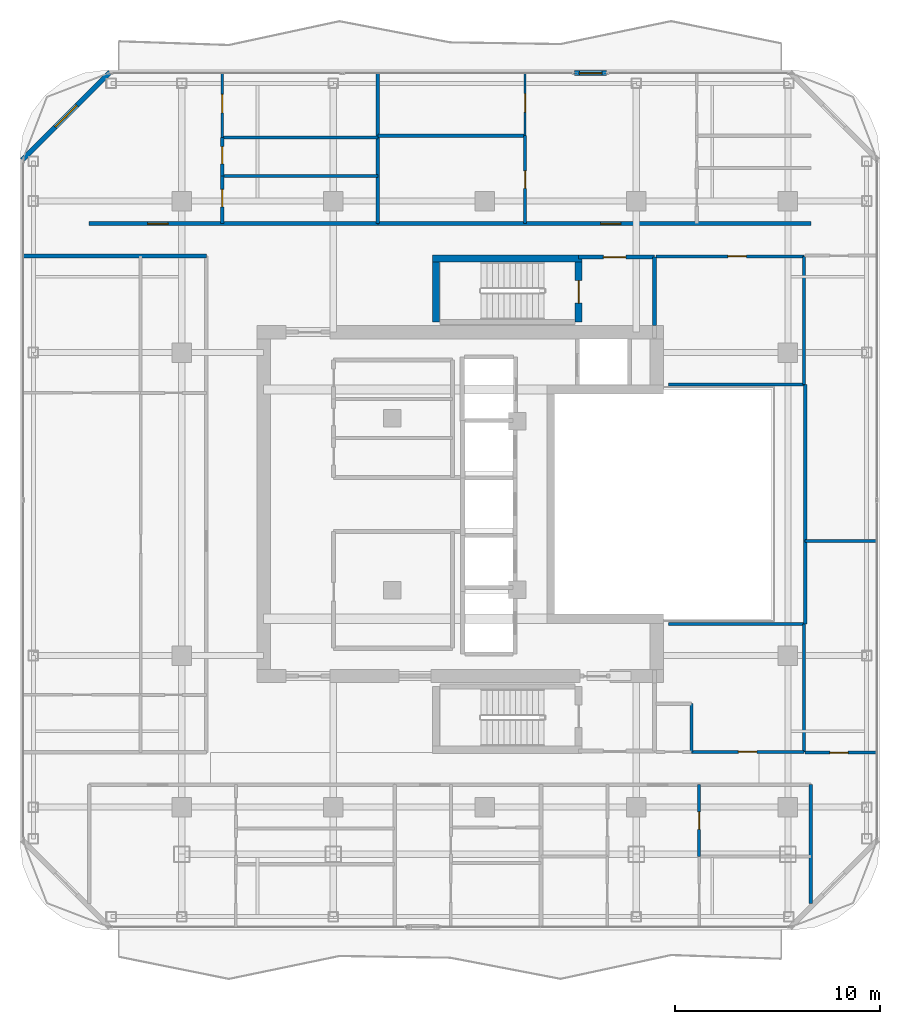
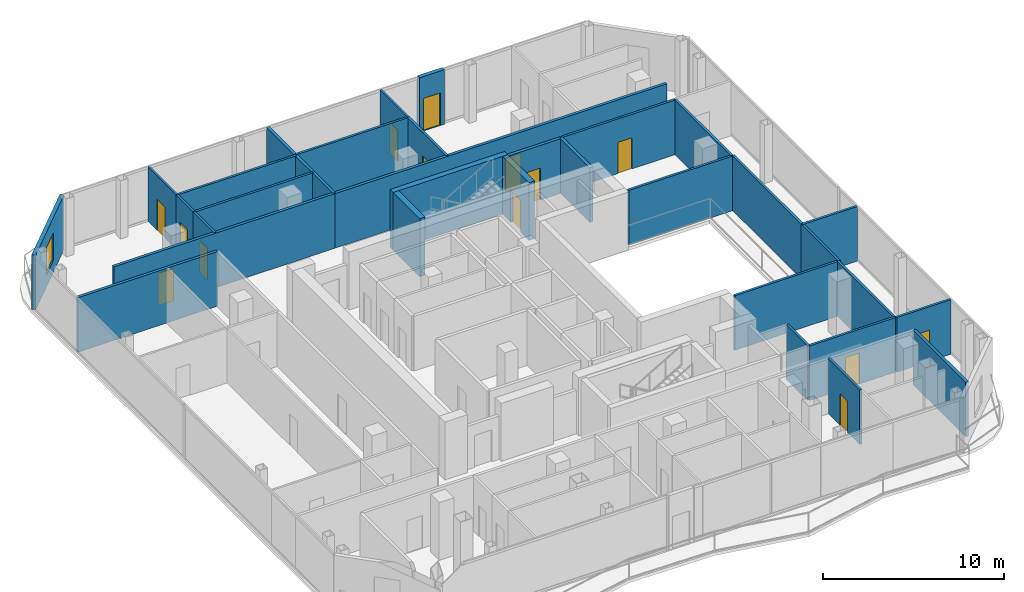
# One storey, part 18 of 22: 32 walls, 14 doors, 1 window, 15 openings.
"""IFC4 building model written with IfcOpenShell, lengths in metres."""

from ifc_helpers import new_model, si_unit, direction, frame, frame_2d, origin, place, context, subcontext, project, spatial, rectangle, extrude, material, layer, layer_set, type_object, element, fill, save


model = new_model("IFC4")

# Units and contexts
model_context = context("Model", 3, precision=1e-05, world=origin(), true_north=direction((0.0, 1.0)))
body_context = subcontext(model_context, "Body", "Model", "MODEL_VIEW")
ifc_project = project(units=[si_unit("LENGTHUNIT", "METRE"), si_unit("AREAUNIT", "SQUARE_METRE"), si_unit("VOLUMEUNIT", "CUBIC_METRE"), si_unit("PLANEANGLEUNIT", "RADIAN"), si_unit("MASSUNIT", "GRAM", prefix="KILO")], contexts=[model_context])

# Site, building, storey
site_placement = place(None, origin())
site = spatial("IfcSite", under=ifc_project, at=site_placement, CompositionType="ELEMENT")
building_placement = place(site_placement, origin())
building = spatial("IfcBuilding", under=site, at=building_placement, Name="Khorvyn Point Tower", CompositionType="ELEMENT")
storey_placement = place(building_placement, frame((0.0, 0.0, 305.39990234375)))
storey = spatial("IfcBuildingStorey", under=building, at=storey_placement, Name="L75", CompositionType="ELEMENT", Elevation=305.39990234375)

# Wall, opening, door
ifc_material_1 = material(Name="Double acoustic gypsum on twin steel stud", Category="steel")
ifc_layer_1 = layer(ifc_material_1, 0.179931640625)
ifc_layer_set_1 = layer_set([ifc_layer_1], Name="Acoustic Double-Stud Apartment Demising Wall 180")
wall_type_1 = type_object("IfcWallType", Name="Acoustic Double-Stud Apartment Demising Wall 180", PredefinedType="PARTITIONING", material=ifc_layer_set_1)
wall_1_placement = place(storey_placement, frame((-19.320068359375, 13.699951171875, 0.0), z_axis=(0.0, 0.0, 1.0), x_axis=(1.0, 0.0, 0.0)))
wall_1 = element("IfcWall", 1, at=wall_1_placement, inside=storey, type_object=wall_type_1, Name="Wall", PredefinedType="PARTITIONING", context=body_context, shape_type="SweptSolid", body=[
    extrude(rectangle(XDim=14.095947265625, YDim=0.179931640625, at=frame_2d((7.0478515625, 0.0))), origin(), (0.0, 0.0, 1.0), 3.68017578125),
])
opening_1_placement = place(wall_1_placement, frame((2.859130859375, 0.0, 0.0)))
opening_1 = element("IfcOpeningElement", 2, at=opening_1_placement, cuts=wall_1, Name="Opening ID-AP60", PredefinedType="OPENING", context=body_context, shape_type="SweptSolid", body=[
    extrude(rectangle(XDim=1.0, YDim=2.199951171875, at=frame_2d((0.5, 1.10009765625))), frame((0.0, 0.099853515625, 0.0), z_axis=(0.0, -1.0, 0.0), x_axis=(1.0, 0.0, 0.0)), (0.0, 0.0, 1.0), 0.199951171875),
])
ifc_material_2 = material(Name="Engineered hardwood fire-rated leaf", Category="wood")
door_type_1 = type_object("IfcDoorType", Name="Acoustic Solid-Core Timber Apartment Entrance Door 1000x2200", OperationType="NOTDEFINED", PredefinedType="DOOR", material=ifc_material_2)
door_1_placement = place(opening_1_placement, origin())
door_1 = element("IfcDoor", 3, at=door_1_placement, inside=storey, type_object=door_type_1, Name="Door", OperationType="SINGLE_SWING_RIGHT", OverallHeight=2.199951171875, OverallWidth=1.0, PredefinedType="DOOR", context=body_context, shape_type="SweptSolid", body=[
    extrude(rectangle(XDim=1.0, YDim=2.199951171875, at=frame_2d((0.5, 1.10009765625))), frame((0.0, 0.02490234375, 0.0), z_axis=(0.0, -1.0, 0.0), x_axis=(1.0, 0.0, 0.0)), (0.0, 0.0, 1.0), 0.050048828125),
])
fill(opening_1, door_1)

wall_2_placement = place(storey_placement, frame((-5.22412109375, 13.699951171875, 0.0), z_axis=(0.0, 0.0, 1.0), x_axis=(1.0, 0.0, 0.0)))
wall_2 = element("IfcWall", 4, at=wall_2_placement, inside=storey, type_object=wall_type_1, Name="Wall", PredefinedType="PARTITIONING", context=body_context, shape_type="SweptSolid", body=[
    extrude(rectangle(XDim=21.14404296875, YDim=0.179931640625, at=frame_2d((10.572021484375, 0.0))), origin(), (0.0, 0.0, 1.0), 3.68017578125),
])
opening_2_placement = place(wall_2_placement, frame((10.875732421875, 0.0, 0.0)))
opening_2 = element("IfcOpeningElement", 5, at=opening_2_placement, cuts=wall_2, Name="Opening ID-AP60", PredefinedType="OPENING", context=body_context, shape_type="SweptSolid", body=[
    extrude(rectangle(XDim=1.0, YDim=2.199951171875, at=frame_2d((0.5, 1.10009765625))), frame((0.0, 0.099853515625, 0.0), z_axis=(0.0, -1.0, 0.0), x_axis=(1.0, 0.0, 0.0)), (0.0, 0.0, 1.0), 0.199951171875),
])
door_2_placement = place(opening_2_placement, origin())
door_2 = element("IfcDoor", 6, at=door_2_placement, inside=storey, type_object=door_type_1, Name="Door", OperationType="SINGLE_SWING_RIGHT", OverallHeight=2.199951171875, OverallWidth=1.0, PredefinedType="DOOR", context=body_context, shape_type="SweptSolid", body=[
    extrude(rectangle(XDim=1.0, YDim=2.199951171875, at=frame_2d((0.5, 1.10009765625))), frame((0.0, 0.02490234375, 0.0), z_axis=(0.0, -1.0, 0.0), x_axis=(1.0, 0.0, 0.0)), (0.0, 0.0, 1.0), 0.050048828125),
])
fill(opening_2, door_2)

# Walls
wall_3_placement = place(storey_placement, frame((-5.22412109375, 13.699951171875, 0.0), z_axis=(0.0, 0.0, 1.0), x_axis=(0.0, 1.0, 0.0)))
element("IfcWall", 7, at=wall_3_placement, inside=storey, type_object=wall_type_1, Name="Wall", PredefinedType="PARTITIONING", context=body_context, shape_type="SweptSolid", body=[
    extrude(rectangle(XDim=7.330078125, YDim=0.179931640625, at=frame_2d((3.6650390625, 0.0))), origin(), (0.0, 0.0, 1.0), 3.68017578125),
])
wall_4_placement = place(storey_placement, frame((15.919921875, -19.510009765625, 0.0), z_axis=(0.0, 0.0, 1.0), x_axis=(0.0, 1.0, 0.0)))
element("IfcWall", 8, at=wall_4_placement, inside=storey, type_object=wall_type_1, Name="Wall", PredefinedType="PARTITIONING", context=body_context, shape_type="SweptSolid", body=[
    extrude(rectangle(XDim=5.81005859375, YDim=0.179931640625, at=frame_2d((2.905029296875, 0.0))), origin(), (0.0, 0.0, 1.0), 3.68017578125),
])
wall_5_placement = place(storey_placement, frame((-22.530029296875, 12.1201171875, 0.0), z_axis=(0.0, 0.0, 1.0), x_axis=(1.0, 0.0, 0.0)))
element("IfcWall", 9, at=wall_5_placement, inside=storey, type_object=wall_type_1, Name="Wall", PredefinedType="PARTITIONING", context=body_context, shape_type="SweptSolid", body=[
    extrude(rectangle(XDim=8.929931640625, YDim=0.179931640625, at=frame_2d((4.46484375, 0.0))), origin(), (0.0, 0.0, 1.0), 3.68017578125),
])

# Wall, opening, door
ifc_material_3 = material(Name="Pale anodised aluminium rainscreen on steel stud", Category="steel")
ifc_layer_2 = layer(ifc_material_3, 0.239990234375)
ifc_layer_set_2 = layer_set([ifc_layer_2], Name="Anodised Aluminium Insulated Corner Spandrel Wall 240")
wall_type_2 = type_object("IfcWallType", Name="Anodised Aluminium Insulated Corner Spandrel Wall 240", PredefinedType="SOLIDWALL", material=ifc_layer_set_2)
wall_6_placement = place(storey_placement, frame((4.3740234375, 21.050048828125, 0.0), z_axis=(0.0, 0.0, 1.0), x_axis=(1.0, 0.0, 0.0)))
wall_6 = element("IfcWall", 10, at=wall_6_placement, inside=storey, type_object=wall_type_2, Name="L75 North Outdoor Threshold Wall", PredefinedType="SOLIDWALL", context=body_context, shape_type="SweptSolid", body=[
    extrude(rectangle(XDim=1.580078125, YDim=0.239990234375, at=frame_2d((0.7900390625, 0.0))), origin(), (0.0, 0.0, 1.0), 3.68017578125),
])
opening_3_placement = place(wall_6_placement, frame((0.239990234375, 0.0, 0.0)))
opening_3 = element("IfcOpeningElement", 11, at=opening_3_placement, cuts=wall_6, Name="Opening BD-1122", PredefinedType="OPENING", context=body_context, shape_type="SweptSolid", body=[
    extrude(rectangle(XDim=1.10009765625, YDim=2.199951171875, at=frame_2d((0.550048828125, 1.10009765625))), frame((0.0, 0.1298828125, 0.0), z_axis=(0.0, -1.0, 0.0), x_axis=(1.0, 0.0, 0.0)), (0.0, 0.0, 1.0), 0.260009765625),
])
ifc_material_4 = material(Name="Anodised aluminium 6063-T6 and laminated Low-E glass", Category="aluminium")
door_type_2 = type_object("IfcDoorType", Name="Glazed Balcony and Terrace Threshold Door 1100x2200", OperationType="NOTDEFINED", PredefinedType="DOOR", material=ifc_material_4)
door_3_placement = place(opening_3_placement, origin())
door_3 = element("IfcDoor", 12, at=door_3_placement, inside=storey, type_object=door_type_2, Name="L75 North Glazed Balcony Outdoor Door", OperationType="SINGLE_SWING_RIGHT", OverallHeight=2.199951171875, OverallWidth=1.10009765625, PredefinedType="DOOR", context=body_context, shape_type="SweptSolid", body=[
    extrude(rectangle(XDim=1.10009765625, YDim=2.199951171875, at=frame_2d((0.550048828125, 1.10009765625))), frame((0.0, 0.02490234375, 0.0), z_axis=(0.0, -1.0, 0.0), x_axis=(1.0, 0.0, 0.0)), (0.0, 0.0, 1.0), 0.050048828125),
])
fill(opening_3, door_3)

# Wall, opening, window
wall_7_placement = place(storey_placement, frame((-22.59228515625, 16.8076171875, 0.0), z_axis=(0.0, 0.0, 1.0), x_axis=(0.707106781187, 0.707106781187, 0.0)))
wall_7 = element("IfcWall", 13, at=wall_7_placement, inside=storey, type_object=wall_type_2, Name="L75 Rounded Corner Wall NW", PredefinedType="SOLIDWALL", context=body_context, shape_type="SweptSolid", body=[
    extrude(rectangle(XDim=6.059326171875, YDim=0.239990234375, at=frame_2d((3.02978515625, 0.0))), origin(), (0.0, 0.0, 1.0), 3.68017578125),
])
opening_4_placement = place(wall_7_placement, frame((2.27978515625, 0.0, 0.800048828125)))
opening_4 = element("IfcOpeningElement", 14, at=opening_4_placement, cuts=wall_7, Name="Opening WN-1518", PredefinedType="OPENING", context=body_context, shape_type="SweptSolid", body=[
    extrude(rectangle(XDim=1.5, YDim=1.85009765625, at=frame_2d((0.75, 0.925048828125))), frame((0.0, 0.1298828125, 0.0), z_axis=(0.0, -1.0, 0.0), x_axis=(1.0, 0.0, 0.0)), (0.0, 0.0, 1.0), 0.260009765625),
])
window_type = type_object("IfcWindowType", Name="Anodised Aluminium Rounded-Corner Panoramic Window 1500x1850", PartitioningType="SINGLE_PANEL", PredefinedType="WINDOW", material=ifc_material_4)
window_placement = place(opening_4_placement, origin())
window = element("IfcWindow", 15, at=window_placement, inside=storey, type_object=window_type, Name="L75 Corner Panoramic Window NW", OverallHeight=1.85009765625, OverallWidth=1.5, PartitioningType="SINGLE_PANEL", PredefinedType="WINDOW", context=body_context, shape_type="SweptSolid", body=[
    extrude(rectangle(XDim=1.5, YDim=1.85009765625, at=frame_2d((0.75, 0.925048828125))), frame((0.0, 0.030029296875, 0.0), z_axis=(0.0, -1.0, 0.0), x_axis=(1.0, 0.0, 0.0)), (0.0, 0.0, 1.0), 0.06005859375),
])
fill(opening_4, window)

# Wall, opening, door
ifc_material_5 = material(Name="Concrete C40/50", Category="concrete")
ifc_layer_3 = layer(ifc_material_5, 0.199951171875)
ifc_layer_set_3 = layer_set([ifc_layer_3], Name="Concrete C40/50 Fire-Lobby Compartment Wall 200")
wall_type_3 = type_object("IfcWallType", Name="Concrete C40/50 Fire-Lobby Compartment Wall 200", PredefinedType="SOLIDWALL", material=ifc_layer_set_3)
wall_8_placement = place(storey_placement, frame((4.580078125, 12.06005859375, 0.0), z_axis=(0.0, 0.0, 1.0), x_axis=(1.0, 0.0, 0.0)))
wall_8 = element("IfcWall", 16, at=wall_8_placement, inside=storey, type_object=wall_type_3, Name="Wall", PredefinedType="SOLIDWALL", context=body_context, shape_type="SweptSolid", body=[
    extrude(rectangle(XDim=3.699951171875, YDim=0.199951171875, at=frame_2d((1.85009765625, 0.0))), origin(), (0.0, 0.0, 1.0), 3.68017578125),
])
opening_5_placement = place(wall_8_placement, frame((1.21240234375, 0.0, 0.0)))
opening_5 = element("IfcOpeningElement", 17, at=opening_5_placement, cuts=wall_8, Name="Opening ID-FL90", PredefinedType="OPENING", context=body_context, shape_type="SweptSolid", body=[
    extrude(rectangle(XDim=1.10009765625, YDim=2.14990234375, at=frame_2d((0.550048828125, 1.074951171875))), frame((0.0, 0.10986328125, 0.0), z_axis=(0.0, -1.0, 0.0), x_axis=(1.0, 0.0, 0.0)), (0.0, 0.0, 1.0), 0.219970703125),
])
ifc_material_6 = material(Name="Galvanised powder-coated steel", Category="steel")
door_type_3 = type_object("IfcDoorType", Name="Fire-Rated Steel Lobby and Stair Door 1100x2150", OperationType="NOTDEFINED", PredefinedType="DOOR", material=ifc_material_6)
door_4_placement = place(opening_5_placement, origin())
door_4 = element("IfcDoor", 18, at=door_4_placement, inside=storey, type_object=door_type_3, Name="Door", OperationType="SINGLE_SWING_RIGHT", OverallHeight=2.14990234375, OverallWidth=1.10009765625, PredefinedType="DOOR", context=body_context, shape_type="SweptSolid", body=[
    extrude(rectangle(XDim=1.10009765625, YDim=2.14990234375, at=frame_2d((0.550048828125, 1.074951171875))), frame((0.0, 0.02490234375, 0.0), z_axis=(0.0, -1.0, 0.0), x_axis=(1.0, 0.0, 0.0)), (0.0, 0.0, 1.0), 0.050048828125),
])
fill(opening_5, door_4)

# Walls
wall_9_placement = place(storey_placement, frame((8.280029296875, 8.72509765625, 0.0), z_axis=(0.0, 0.0, 1.0), x_axis=(0.0, 1.0, 0.0)))
element("IfcWall", 19, at=wall_9_placement, inside=storey, type_object=wall_type_3, Name="Wall", PredefinedType="SOLIDWALL", context=body_context, shape_type="SweptSolid", body=[
    extrude(rectangle(XDim=3.3349609375, YDim=0.199951171875, at=frame_2d((1.66748046875, 0.0))), origin(), (0.0, 0.0, 1.0), 3.68017578125),
])
ifc_layer_4 = layer(ifc_material_5, 0.35009765625)
ifc_layer_set_4 = layer_set([ifc_layer_4], Name="Concrete C40/50 Stair Shaft Structural Wall 350")
wall_type_4 = type_object("IfcWallType", Name="Concrete C40/50 Stair Shaft Structural Wall 350", PredefinedType="SHEAR", material=ifc_layer_set_4)
wall_10_placement = place(storey_placement, frame((-2.554931640625, 12.0, 0.0), z_axis=(0.0, 0.0, 1.0), x_axis=(1.0, 0.0, 0.0)))
element("IfcWall", 20, at=wall_10_placement, inside=storey, type_object=wall_type_4, Name="L75 ST-02 North Shaft Wall", PredefinedType="SHEAR", context=body_context, shape_type="SweptSolid", body=[
    extrude(rectangle(XDim=7.309814453125, YDim=0.35009765625, at=frame_2d((3.65478515625, 0.0))), origin(), (0.0, 0.0, 1.0), 3.900146484375),
])
wall_11_placement = place(storey_placement, frame((-2.3798828125, 8.89990234375, 0.0), z_axis=(0.0, 0.0, 1.0), x_axis=(0.0, 1.0, 0.0)))
element("IfcWall", 21, at=wall_11_placement, inside=storey, type_object=wall_type_4, Name="L75 ST-02 West Shaft Wall", PredefinedType="SHEAR", context=body_context, shape_type="SweptSolid", body=[
    extrude(rectangle(XDim=2.925048828125, YDim=0.35009765625, at=frame_2d((1.46240234375, 0.0))), origin(), (0.0, 0.0, 1.0), 3.900146484375),
])

# Wall, opening, door
wall_12_placement = place(storey_placement, frame((4.580078125, 11.824951171875, 0.0), z_axis=(0.0, 0.0, 1.0), x_axis=(0.0, -1.0, 0.0)))
wall_12 = element("IfcWall", 22, at=wall_12_placement, inside=storey, type_object=wall_type_4, Name="L75 ST-02 East Landing Door Wall", PredefinedType="SHEAR", context=body_context, shape_type="SweptSolid", body=[
    extrude(rectangle(XDim=2.925048828125, YDim=0.35009765625, at=frame_2d((1.46240234375, 0.0))), origin(), (0.0, 0.0, 1.0), 3.900146484375),
])
opening_6_placement = place(wall_12_placement, frame((0.91259765625, 0.0, 0.0)))
opening_6 = element("IfcOpeningElement", 23, at=opening_6_placement, cuts=wall_12, Name="Opening ID-FL90", PredefinedType="OPENING", context=body_context, shape_type="SweptSolid", body=[
    extrude(rectangle(XDim=1.10009765625, YDim=2.14990234375, at=frame_2d((0.550048828125, 1.074951171875))), frame((0.0, 0.18505859375, 0.0), z_axis=(0.0, -1.0, 0.0), x_axis=(1.0, 0.0, 0.0)), (0.0, 0.0, 1.0), 0.3701171875),
])
door_5_placement = place(opening_6_placement, origin())
door_5 = element("IfcDoor", 24, at=door_5_placement, inside=storey, type_object=door_type_3, Name="L75 ST-02 Smokeproof Landing Door", OperationType="SINGLE_SWING_RIGHT", OverallHeight=2.14990234375, OverallWidth=1.10009765625, PredefinedType="DOOR", context=body_context, shape_type="SweptSolid", body=[
    extrude(rectangle(XDim=1.10009765625, YDim=2.14990234375, at=frame_2d((0.550048828125, 1.074951171875))), frame((0.0, 0.02490234375, 0.0), z_axis=(0.0, -1.0, 0.0), x_axis=(1.0, 0.0, 0.0)), (0.0, 0.0, 1.0), 0.050048828125),
])
fill(opening_6, door_5)

ifc_material_7 = material(Name="Gypsum plasterboard on steel stud", Category="steel")
ifc_layer_5 = layer(ifc_material_7, 0.1201171875)
ifc_layer_set_5 = layer_set([ifc_layer_5], Name="Gypsum Acoustic Stud Room Partition Wall 120")
wall_type_5 = type_object("IfcWallType", Name="Gypsum Acoustic Stud Room Partition Wall 120", PredefinedType="PARTITIONING", material=ifc_layer_set_5)
wall_13_placement = place(storey_placement, frame((-12.822021484375, 17.9130859375, 0.0), z_axis=(0.0, 0.0, 1.0), x_axis=(0.0, 1.0, 0.0)))
wall_13 = element("IfcWall", 25, at=wall_13_placement, inside=storey, type_object=wall_type_5, Name="Wall", PredefinedType="PARTITIONING", context=body_context, shape_type="SweptSolid", body=[
    extrude(rectangle(XDim=3.116943359375, YDim=0.1201171875, at=frame_2d((1.55859375, 0.0))), origin(), (0.0, 0.0, 1.0), 3.68017578125),
])
opening_7_placement = place(wall_13_placement, frame((1.194580078125, 0.0, 0.0)))
opening_7 = element("IfcOpeningElement", 26, at=opening_7_placement, cuts=wall_13, Name="Opening ID-RM90", PredefinedType="OPENING", context=body_context, shape_type="SweptSolid", body=[
    extrude(rectangle(XDim=0.89990234375, YDim=2.10009765625, at=frame_2d((0.449951171875, 1.050048828125))), frame((0.0, 0.070068359375, 0.0), z_axis=(0.0, -1.0, 0.0), x_axis=(1.0, 0.0, 0.0)), (0.0, 0.0, 1.0), 0.14013671875),
])
ifc_material_8 = material(Name="Engineered oak veneer timber", Category="wood")
door_type_4 = type_object("IfcDoorType", Name="Flush Engineered Timber Room Door 900x2100", OperationType="NOTDEFINED", PredefinedType="DOOR", material=ifc_material_8)
door_6_placement = place(opening_7_placement, origin())
door_6 = element("IfcDoor", 27, at=door_6_placement, inside=storey, type_object=door_type_4, Name="Door", OperationType="SINGLE_SWING_LEFT", OverallHeight=2.10009765625, OverallWidth=0.89990234375, PredefinedType="DOOR", context=body_context, shape_type="SweptSolid", body=[
    extrude(rectangle(XDim=0.89990234375, YDim=2.10009765625, at=frame_2d((0.449951171875, 1.050048828125))), frame((0.0, 0.02490234375, 0.0), z_axis=(0.0, -1.0, 0.0), x_axis=(1.0, 0.0, 0.0)), (0.0, 0.0, 1.0), 0.050048828125),
])
fill(opening_7, door_6)

wall_14_placement = place(storey_placement, frame((1.964111328125, 17.989990234375, 0.0), z_axis=(0.0, 0.0, 1.0), x_axis=(0.0, 1.0, 0.0)))
wall_14 = element("IfcWall", 28, at=wall_14_placement, inside=storey, type_object=wall_type_5, Name="Wall", PredefinedType="PARTITIONING", context=body_context, shape_type="SweptSolid", body=[
    extrude(rectangle(XDim=3.0400390625, YDim=0.1201171875, at=frame_2d((1.52001953125, 0.0))), origin(), (0.0, 0.0, 1.0), 3.68017578125),
])
opening_8_placement = place(wall_14_placement, frame((1.152587890625, 0.0, 0.0)))
opening_8 = element("IfcOpeningElement", 29, at=opening_8_placement, cuts=wall_14, Name="Opening ID-RM90", PredefinedType="OPENING", context=body_context, shape_type="SweptSolid", body=[
    extrude(rectangle(XDim=0.89990234375, YDim=2.10009765625, at=frame_2d((0.449951171875, 1.050048828125))), frame((0.0, 0.070068359375, 0.0), z_axis=(0.0, -1.0, 0.0), x_axis=(1.0, 0.0, 0.0)), (0.0, 0.0, 1.0), 0.14013671875),
])
door_7_placement = place(opening_8_placement, origin())
door_7 = element("IfcDoor", 30, at=door_7_placement, inside=storey, type_object=door_type_4, Name="Door", OperationType="SINGLE_SWING_RIGHT", OverallHeight=2.10009765625, OverallWidth=0.89990234375, PredefinedType="DOOR", context=body_context, shape_type="SweptSolid", body=[
    extrude(rectangle(XDim=0.89990234375, YDim=2.10009765625, at=frame_2d((0.449951171875, 1.050048828125))), frame((0.0, 0.02490234375, 0.0), z_axis=(0.0, -1.0, 0.0), x_axis=(1.0, 0.0, 0.0)), (0.0, 0.0, 1.0), 0.050048828125),
])
fill(opening_8, door_7)

ifc_material_9 = material(Name="Moisture-resistant gypsum and cement board", Category="gypsum")
ifc_layer_6 = layer(ifc_material_9, 0.14990234375)
ifc_layer_set_6 = layer_set([ifc_layer_6], Name="Moisture-Resistant Wet-Room Partition Wall 150")
wall_type_6 = type_object("IfcWallType", Name="Moisture-Resistant Wet-Room Partition Wall 150", PredefinedType="PARTITIONING", material=ifc_layer_set_6)
wall_15_placement = place(storey_placement, frame((10.10009765625, -12.10009765625, 0.0), z_axis=(0.0, 0.0, 1.0), x_axis=(1.0, 0.0, 0.0)))
wall_15 = element("IfcWall", 31, at=wall_15_placement, inside=storey, type_object=wall_type_6, Name="Wall", PredefinedType="PARTITIONING", context=body_context, shape_type="SweptSolid", body=[
    extrude(rectangle(XDim=5.47998046875, YDim=0.14990234375, at=frame_2d((2.739990234375, 0.0))), origin(), (0.0, 0.0, 1.0), 3.68017578125),
])
opening_9_placement = place(wall_15_placement, frame((2.2900390625, 0.0, 0.0)))
opening_9 = element("IfcOpeningElement", 32, at=opening_9_placement, cuts=wall_15, Name="Opening ID-RM90", PredefinedType="OPENING", context=body_context, shape_type="SweptSolid", body=[
    extrude(rectangle(XDim=0.89990234375, YDim=2.10009765625, at=frame_2d((0.449951171875, 1.050048828125))), frame((0.0, 0.0849609375, 0.0), z_axis=(0.0, -1.0, 0.0), x_axis=(1.0, 0.0, 0.0)), (0.0, 0.0, 1.0), 0.169921875),
])
door_8_placement = place(opening_9_placement, origin())
door_8 = element("IfcDoor", 33, at=door_8_placement, inside=storey, type_object=door_type_4, Name="Door", OperationType="SINGLE_SWING_RIGHT", OverallHeight=2.10009765625, OverallWidth=0.89990234375, PredefinedType="DOOR", context=body_context, shape_type="SweptSolid", body=[
    extrude(rectangle(XDim=0.89990234375, YDim=2.10009765625, at=frame_2d((0.449951171875, 1.050048828125))), frame((0.0, 0.02490234375, 0.0), z_axis=(0.0, -1.0, 0.0), x_axis=(1.0, 0.0, 0.0)), (0.0, 0.0, 1.0), 0.050048828125),
])
fill(opening_9, door_8)

wall_16_placement = place(storey_placement, frame((8.360107421875, 12.10009765625, 0.0), z_axis=(0.0, 0.0, 1.0), x_axis=(1.0, 0.0, 0.0)))
wall_16 = element("IfcWall", 34, at=wall_16_placement, inside=storey, type_object=wall_type_6, Name="Wall", PredefinedType="PARTITIONING", context=body_context, shape_type="SweptSolid", body=[
    extrude(rectangle(XDim=7.219970703125, YDim=0.14990234375, at=frame_2d((3.60986328125, 0.0))), origin(), (0.0, 0.0, 1.0), 3.68017578125),
])
opening_10_placement = place(wall_16_placement, frame((3.512939453125, 0.0, 0.0)))
opening_10 = element("IfcOpeningElement", 35, at=opening_10_placement, cuts=wall_16, Name="Opening ID-RM90", PredefinedType="OPENING", context=body_context, shape_type="SweptSolid", body=[
    extrude(rectangle(XDim=0.89990234375, YDim=2.10009765625, at=frame_2d((0.449951171875, 1.050048828125))), frame((0.0, 0.0849609375, 0.0), z_axis=(0.0, -1.0, 0.0), x_axis=(1.0, 0.0, 0.0)), (0.0, 0.0, 1.0), 0.169921875),
])
door_9_placement = place(opening_10_placement, origin())
door_9 = element("IfcDoor", 36, at=door_9_placement, inside=storey, type_object=door_type_4, Name="Door", OperationType="SINGLE_SWING_LEFT", OverallHeight=2.10009765625, OverallWidth=0.89990234375, PredefinedType="DOOR", context=body_context, shape_type="SweptSolid", body=[
    extrude(rectangle(XDim=0.89990234375, YDim=2.10009765625, at=frame_2d((0.449951171875, 1.050048828125))), frame((0.0, 0.02490234375, 0.0), z_axis=(0.0, -1.0, 0.0), x_axis=(1.0, 0.0, 0.0)), (0.0, 0.0, 1.0), 0.050048828125),
])
fill(opening_10, door_9)

wall_17_placement = place(storey_placement, frame((-12.822021484375, 13.699951171875, 0.0), z_axis=(0.0, 0.0, 1.0), x_axis=(0.0, 1.0, 0.0)))
wall_17 = element("IfcWall", 37, at=wall_17_placement, inside=storey, type_object=wall_type_6, Name="Wall", PredefinedType="PARTITIONING", context=body_context, shape_type="SweptSolid", body=[
    extrude(rectangle(XDim=2.317138671875, YDim=0.14990234375, at=frame_2d((1.15869140625, 0.0))), origin(), (0.0, 0.0, 1.0), 3.68017578125),
])
opening_11_placement = place(wall_17_placement, frame((0.8154296875, 0.0, 0.0)))
opening_11 = element("IfcOpeningElement", 38, at=opening_11_placement, cuts=wall_17, Name="Opening ID-WC85", PredefinedType="OPENING", context=body_context, shape_type="SweptSolid", body=[
    extrude(rectangle(XDim=0.85009765625, YDim=2.10009765625, at=frame_2d((0.425048828125, 1.050048828125))), frame((0.0, 0.0849609375, 0.0), z_axis=(0.0, -1.0, 0.0), x_axis=(1.0, 0.0, 0.0)), (0.0, 0.0, 1.0), 0.169921875),
])
ifc_material_10 = material(Name="High-pressure laminate on moisture-resistant core", Category="wood")
door_type_5 = type_object("IfcDoorType", Name="Moisture-Resistant Accessible Washroom Door 850x2100", OperationType="NOTDEFINED", PredefinedType="DOOR", material=ifc_material_10)
door_10_placement = place(opening_11_placement, origin())
door_10 = element("IfcDoor", 39, at=door_10_placement, inside=storey, type_object=door_type_5, Name="Door", OperationType="SINGLE_SWING_LEFT", OverallHeight=2.10009765625, OverallWidth=0.85009765625, PredefinedType="DOOR", context=body_context, shape_type="SweptSolid", body=[
    extrude(rectangle(XDim=0.85009765625, YDim=2.10009765625, at=frame_2d((0.425048828125, 1.050048828125))), frame((0.0, 0.02490234375, 0.0), z_axis=(0.0, -1.0, 0.0), x_axis=(1.0, 0.0, 0.0)), (0.0, 0.0, 1.0), 0.050048828125),
])
fill(opening_11, door_10)

wall_18_placement = place(storey_placement, frame((-12.822021484375, 16.01708984375, 0.0), z_axis=(0.0, 0.0, 1.0), x_axis=(0.0, 1.0, 0.0)))
wall_18 = element("IfcWall", 40, at=wall_18_placement, inside=storey, type_object=wall_type_6, Name="Wall", PredefinedType="PARTITIONING", context=body_context, shape_type="SweptSolid", body=[
    extrude(rectangle(XDim=1.89599609375, YDim=0.14990234375, at=frame_2d((0.947998046875, 0.0))), origin(), (0.0, 0.0, 1.0), 3.68017578125),
])
opening_12_placement = place(wall_18_placement, frame((0.595703125, 0.0, 0.0)))
opening_12 = element("IfcOpeningElement", 41, at=opening_12_placement, cuts=wall_18, Name="Opening ID-WC85", PredefinedType="OPENING", context=body_context, shape_type="SweptSolid", body=[
    extrude(rectangle(XDim=0.85009765625, YDim=2.10009765625, at=frame_2d((0.425048828125, 1.050048828125))), frame((0.0, 0.0849609375, 0.0), z_axis=(0.0, -1.0, 0.0), x_axis=(1.0, 0.0, 0.0)), (0.0, 0.0, 1.0), 0.169921875),
])
door_11_placement = place(opening_12_placement, origin())
door_11 = element("IfcDoor", 42, at=door_11_placement, inside=storey, type_object=door_type_5, Name="Door", OperationType="SINGLE_SWING_RIGHT", OverallHeight=2.10009765625, OverallWidth=0.85009765625, PredefinedType="DOOR", context=body_context, shape_type="SweptSolid", body=[
    extrude(rectangle(XDim=0.85009765625, YDim=2.10009765625, at=frame_2d((0.425048828125, 1.050048828125))), frame((0.0, 0.02490234375, 0.0), z_axis=(0.0, -1.0, 0.0), x_axis=(1.0, 0.0, 0.0)), (0.0, 0.0, 1.0), 0.050048828125),
])
fill(opening_12, door_11)

wall_19_placement = place(storey_placement, frame((1.964111328125, 13.699951171875, 0.0), z_axis=(0.0, 0.0, 1.0), x_axis=(0.0, 1.0, 0.0)))
wall_19 = element("IfcWall", 43, at=wall_19_placement, inside=storey, type_object=wall_type_6, Name="Wall", PredefinedType="PARTITIONING", context=body_context, shape_type="SweptSolid", body=[
    extrude(rectangle(XDim=4.2900390625, YDim=0.14990234375, at=frame_2d((2.14501953125, 0.0))), origin(), (0.0, 0.0, 1.0), 3.68017578125),
])
opening_13_placement = place(wall_19_placement, frame((1.719970703125, 0.0, 0.0)))
opening_13 = element("IfcOpeningElement", 44, at=opening_13_placement, cuts=wall_19, Name="Opening ID-WC85", PredefinedType="OPENING", context=body_context, shape_type="SweptSolid", body=[
    extrude(rectangle(XDim=0.85009765625, YDim=2.10009765625, at=frame_2d((0.425048828125, 1.050048828125))), frame((0.0, 0.0849609375, 0.0), z_axis=(0.0, -1.0, 0.0), x_axis=(1.0, 0.0, 0.0)), (0.0, 0.0, 1.0), 0.169921875),
])
door_12_placement = place(opening_13_placement, origin())
door_12 = element("IfcDoor", 45, at=door_12_placement, inside=storey, type_object=door_type_5, Name="Door", OperationType="SINGLE_SWING_LEFT", OverallHeight=2.10009765625, OverallWidth=0.85009765625, PredefinedType="DOOR", context=body_context, shape_type="SweptSolid", body=[
    extrude(rectangle(XDim=0.85009765625, YDim=2.10009765625, at=frame_2d((0.425048828125, 1.050048828125))), frame((0.0, 0.02490234375, 0.0), z_axis=(0.0, -1.0, 0.0), x_axis=(1.0, 0.0, 0.0)), (0.0, 0.0, 1.0), 0.050048828125),
])
fill(opening_13, door_12)

wall_20_placement = place(storey_placement, frame((10.469970703125, -17.218994140625, 0.0), z_axis=(0.0, 0.0, 1.0), x_axis=(0.0, 1.0, 0.0)))
wall_20 = element("IfcWall", 46, at=wall_20_placement, inside=storey, type_object=wall_type_6, Name="Wall", PredefinedType="PARTITIONING", context=body_context, shape_type="SweptSolid", body=[
    extrude(rectangle(XDim=3.51904296875, YDim=0.14990234375, at=frame_2d((1.759521484375, 0.0))), origin(), (0.0, 0.0, 1.0), 3.68017578125),
])
opening_14_placement = place(wall_20_placement, frame((1.33447265625, 0.0, 0.0)))
opening_14 = element("IfcOpeningElement", 47, at=opening_14_placement, cuts=wall_20, Name="Opening ID-WC85", PredefinedType="OPENING", context=body_context, shape_type="SweptSolid", body=[
    extrude(rectangle(XDim=0.85009765625, YDim=2.10009765625, at=frame_2d((0.425048828125, 1.050048828125))), frame((0.0, 0.0849609375, 0.0), z_axis=(0.0, -1.0, 0.0), x_axis=(1.0, 0.0, 0.0)), (0.0, 0.0, 1.0), 0.169921875),
])
door_13_placement = place(opening_14_placement, origin())
door_13 = element("IfcDoor", 48, at=door_13_placement, inside=storey, type_object=door_type_5, Name="Door", OperationType="SINGLE_SWING_LEFT", OverallHeight=2.10009765625, OverallWidth=0.85009765625, PredefinedType="DOOR", context=body_context, shape_type="SweptSolid", body=[
    extrude(rectangle(XDim=0.85009765625, YDim=2.10009765625, at=frame_2d((0.425048828125, 1.050048828125))), frame((0.0, 0.02490234375, 0.0), z_axis=(0.0, -1.0, 0.0), x_axis=(1.0, 0.0, 0.0)), (0.0, 0.0, 1.0), 0.050048828125),
])
fill(opening_14, door_13)

wall_21_placement = place(storey_placement, frame((15.64990234375, -12.139892578125, 0.0), z_axis=(0.0, 0.0, 1.0), x_axis=(1.0, 0.0, 0.0)))
wall_21 = element("IfcWall", 49, at=wall_21_placement, inside=storey, type_object=wall_type_6, Name="Wall", PredefinedType="PARTITIONING", context=body_context, shape_type="SweptSolid", body=[
    extrude(rectangle(XDim=3.47021484375, YDim=0.14990234375, at=frame_2d((1.735107421875, 0.0))), origin(), (0.0, 0.0, 1.0), 3.68017578125),
])
opening_15_placement = place(wall_21_placement, frame((1.198486328125, 0.0, 0.0)))
opening_15 = element("IfcOpeningElement", 50, at=opening_15_placement, cuts=wall_21, Name="Opening ID-RM90", PredefinedType="OPENING", context=body_context, shape_type="SweptSolid", body=[
    extrude(rectangle(XDim=0.89990234375, YDim=2.10009765625, at=frame_2d((0.449951171875, 1.050048828125))), frame((0.0, 0.0849609375, 0.0), z_axis=(0.0, -1.0, 0.0), x_axis=(1.0, 0.0, 0.0)), (0.0, 0.0, 1.0), 0.169921875),
])
door_14_placement = place(opening_15_placement, origin())
door_14 = element("IfcDoor", 51, at=door_14_placement, inside=storey, type_object=door_type_4, Name="Door", OperationType="SINGLE_SWING_LEFT", OverallHeight=2.10009765625, OverallWidth=0.89990234375, PredefinedType="DOOR", context=body_context, shape_type="SweptSolid", body=[
    extrude(rectangle(XDim=0.89990234375, YDim=2.10009765625, at=frame_2d((0.449951171875, 1.050048828125))), frame((0.0, 0.02490234375, 0.0), z_axis=(0.0, -1.0, 0.0), x_axis=(1.0, 0.0, 0.0)), (0.0, 0.0, 1.0), 0.050048828125),
])
fill(opening_15, door_14)

# Walls
wall_22_placement = place(storey_placement, frame((10.10009765625, -12.10009765625, 0.0), z_axis=(0.0, 0.0, 1.0), x_axis=(0.0, 1.0, 0.0)))
element("IfcWall", 52, at=wall_22_placement, inside=storey, type_object=wall_type_6, Name="Wall", PredefinedType="PARTITIONING", context=body_context, shape_type="SweptSolid", body=[
    extrude(rectangle(XDim=2.35009765625, YDim=0.14990234375, at=frame_2d((1.175048828125, 0.0))), origin(), (0.0, 0.0, 1.0), 3.68017578125),
])
wall_23_placement = place(storey_placement, frame((15.580078125, -12.10009765625, 0.0), z_axis=(0.0, 0.0, 1.0), x_axis=(0.0, 1.0, 0.0)))
element("IfcWall", 53, at=wall_23_placement, inside=storey, type_object=wall_type_6, Name="Wall", PredefinedType="PARTITIONING", context=body_context, shape_type="SweptSolid", body=[
    extrude(rectangle(XDim=6.25, YDim=0.14990234375, at=frame_2d((3.125, 0.0))), origin(), (0.0, 0.0, 1.0), 3.68017578125),
])
wall_24_placement = place(storey_placement, frame((8.9599609375, -5.85009765625, 0.0), z_axis=(0.0, 0.0, 1.0), x_axis=(1.0, 0.0, 0.0)))
element("IfcWall", 54, at=wall_24_placement, inside=storey, type_object=wall_type_6, Name="Wall", PredefinedType="PARTITIONING", context=body_context, shape_type="SweptSolid", body=[
    extrude(rectangle(XDim=6.6201171875, YDim=0.14990234375, at=frame_2d((3.31005859375, 0.0))), origin(), (0.0, 0.0, 1.0), 3.68017578125),
])
wall_25_placement = place(storey_placement, frame((15.580078125, 5.85009765625, 0.0), z_axis=(0.0, 0.0, 1.0), x_axis=(0.0, 1.0, 0.0)))
element("IfcWall", 55, at=wall_25_placement, inside=storey, type_object=wall_type_6, Name="Wall", PredefinedType="PARTITIONING", context=body_context, shape_type="SweptSolid", body=[
    extrude(rectangle(XDim=6.25, YDim=0.14990234375, at=frame_2d((3.125, 0.0))), origin(), (0.0, 0.0, 1.0), 3.68017578125),
])
wall_26_placement = place(storey_placement, frame((8.9599609375, 5.85009765625, 0.0), z_axis=(0.0, 0.0, 1.0), x_axis=(1.0, 0.0, 0.0)))
element("IfcWall", 56, at=wall_26_placement, inside=storey, type_object=wall_type_6, Name="Wall", PredefinedType="PARTITIONING", context=body_context, shape_type="SweptSolid", body=[
    extrude(rectangle(XDim=6.6201171875, YDim=0.14990234375, at=frame_2d((3.31005859375, 0.0))), origin(), (0.0, 0.0, 1.0), 3.68017578125),
])
for number, where, z_axis, x_axis, name in (
    (57, (-12.822021484375, 16.01708984375, 0.0), (0.0, 0.0, 1.0), (1.0, 0.0, 0.0), "Wall"),
    (58, (-12.822021484375, 17.9130859375, 0.0), (0.0, 0.0, 1.0), (1.0, 0.0, 0.0), "Wall"),
):
    element("IfcWall", number, at=place(storey_placement, frame(where, z_axis=z_axis, x_axis=x_axis)), inside=storey, type_object=wall_type_6, Name=name, PredefinedType="PARTITIONING", context=body_context, shape_type="SweptSolid", body=[
        extrude(rectangle(XDim=7.597900390625, YDim=0.14990234375, at=frame_2d((3.798828125, 0.0))), origin(), (0.0, 0.0, 1.0), 3.68017578125),
    ])
wall_27_placement = place(storey_placement, frame((-5.22412109375, 17.989990234375, 0.0), z_axis=(0.0, 0.0, 1.0), x_axis=(1.0, 0.0, 0.0)))
element("IfcWall", 59, at=wall_27_placement, inside=storey, type_object=wall_type_6, Name="Wall", PredefinedType="PARTITIONING", context=body_context, shape_type="SweptSolid", body=[
    extrude(rectangle(XDim=7.188232421875, YDim=0.14990234375, at=frame_2d((3.59423828125, 0.0))), origin(), (0.0, 0.0, 1.0), 3.68017578125),
])
wall_28_placement = place(storey_placement, frame((15.64990234375, -5.85009765625, 0.0), z_axis=(0.0, 0.0, 1.0), x_axis=(0.0, 1.0, 0.0)))
element("IfcWall", 60, at=wall_28_placement, inside=storey, type_object=wall_type_6, Name="Wall", PredefinedType="PARTITIONING", context=body_context, shape_type="SweptSolid", body=[
    extrude(rectangle(XDim=4.050048828125, YDim=0.14990234375, at=frame_2d((2.02490234375, 0.0))), origin(), (0.0, 0.0, 1.0), 3.68017578125),
])
wall_29_placement = place(storey_placement, frame((15.64990234375, -1.800048828125, 0.0), z_axis=(0.0, 0.0, 1.0), x_axis=(0.0, 1.0, 0.0)))
element("IfcWall", 61, at=wall_29_placement, inside=storey, type_object=wall_type_6, Name="Wall", PredefinedType="PARTITIONING", context=body_context, shape_type="SweptSolid", body=[
    extrude(rectangle(XDim=7.650146484375, YDim=0.14990234375, at=frame_2d((3.8251953125, 0.0))), origin(), (0.0, 0.0, 1.0), 3.68017578125),
])
wall_30_placement = place(storey_placement, frame((15.64990234375, -1.800048828125, 0.0), z_axis=(0.0, 0.0, 1.0), x_axis=(1.0, 0.0, 0.0)))
element("IfcWall", 62, at=wall_30_placement, inside=storey, type_object=wall_type_6, Name="Wall", PredefinedType="PARTITIONING", context=body_context, shape_type="SweptSolid", body=[
    extrude(rectangle(XDim=3.47998046875, YDim=0.14990234375, at=frame_2d((1.739990234375, 0.0))), origin(), (0.0, 0.0, 1.0), 3.68017578125),
])

save(model, "model.ifc")
